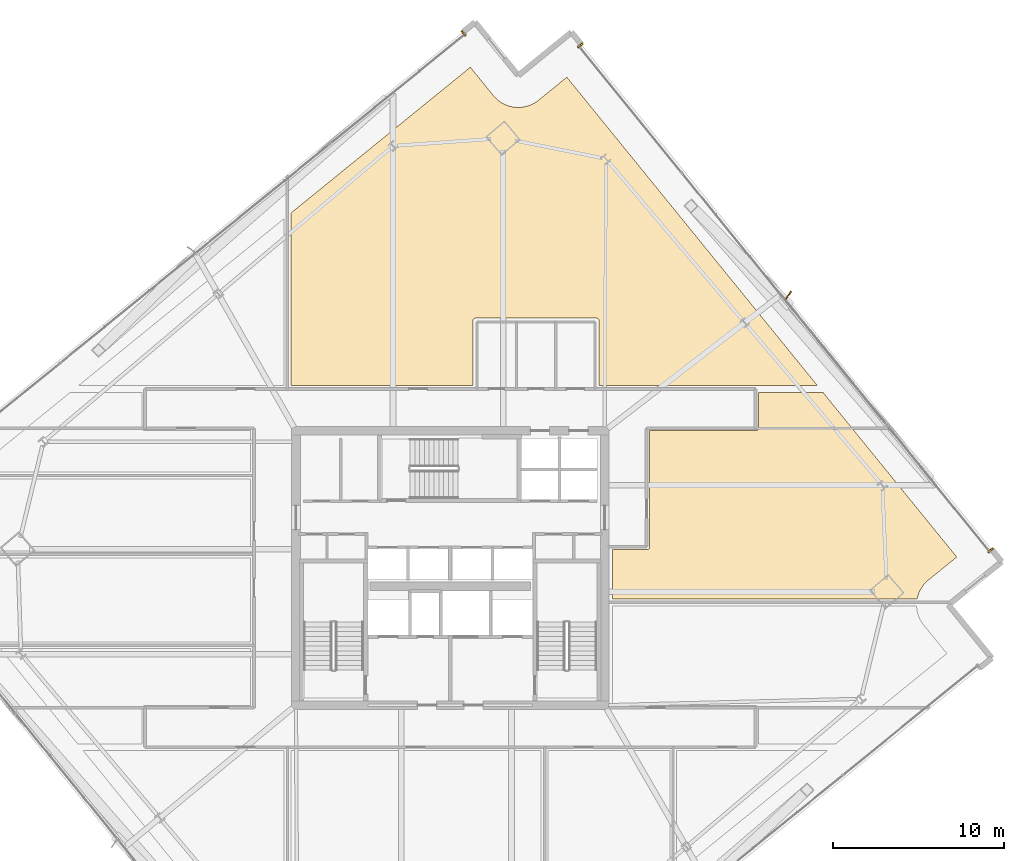
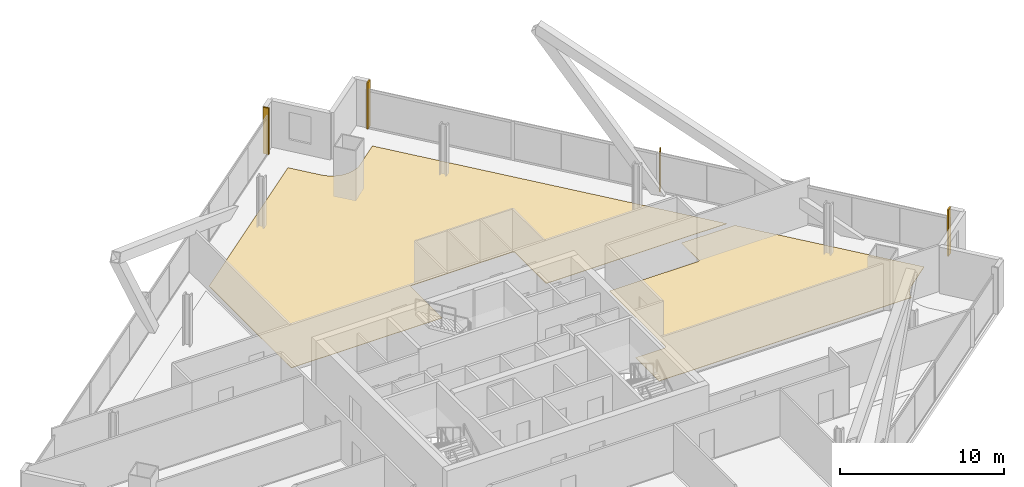
# One storey, part 36 of 36: 5 coverings, 1 shading device.
"""IFC4 building model written with IfcOpenShell, lengths in metres."""

from ifc_helpers import new_model, si_unit, direction, frame, origin, origin_2d, place, context, subcontext, project, spatial, polyline, rectangle, outline, extrude, source, transform, mapped, material, layer, layer_set, type_object, element, save


model = new_model("IFC4")

# Units and contexts
model_context = context("Model", 3, precision=1e-05, world=origin(), true_north=direction((0.0, 1.0)))
body_context = subcontext(model_context, "Body", "Model", "MODEL_VIEW")
ifc_project = project(units=[si_unit("LENGTHUNIT", "METRE"), si_unit("AREAUNIT", "SQUARE_METRE"), si_unit("VOLUMEUNIT", "CUBIC_METRE"), si_unit("PLANEANGLEUNIT", "RADIAN"), si_unit("MASSUNIT", "GRAM", prefix="KILO")], contexts=[model_context])

# Site, building, storey
site_placement = place(None, origin())
site = spatial("IfcSite", under=ifc_project, at=site_placement, CompositionType="ELEMENT")
building_placement = place(site_placement, origin())
building = spatial("IfcBuilding", under=site, at=building_placement, Name="Haldenkirk Collegiate Tower", CompositionType="ELEMENT")
storey_placement = place(building_placement, frame((0.0, 0.0, 159.449951171875)))
storey = spatial("IfcBuildingStorey", under=building, at=storey_placement, Name="L39", CompositionType="ELEMENT", Elevation=159.449951171875)

# Coverings
ifc_material_1 = material(Name="Polished collegiate terrazzo", Category="concrete")
ifc_layer_1 = layer(ifc_material_1, 0.02490234375)
ifc_layer_set_1 = layer_set([ifc_layer_1], Name="Polished collegiate terrazzo")
covering_type_1 = type_object("IfcCoveringType", Name="COV-FLOOR-TERRAZZO", PredefinedType="FLOORING", material=ifc_layer_set_1)
covering_1_placement = place(storey_placement, origin())
element("IfcCovering", 1, at=covering_1_placement, inside=storey, type_object=covering_type_1, Name="L39 academic room finish 06", PredefinedType="FLOORING", context=body_context, shape_type="SweptSolid", body=[
    extrude(outline(polyline([(38.513671875, 53.556640625), (38.517333984375, 53.552001953125), (38.632080078125, 53.42431640625), (38.640380859375, 53.416015625), (38.76708984375, 53.300048828125), (38.776123046875, 53.29248046875), (38.913818359375, 53.189697265625), (38.92333984375, 53.18310546875), (39.0703125, 53.093994140625), (39.08056640625, 53.08837890625), (39.2353515625, 53.01416015625), (39.246337890625, 53.009521484375), (39.407958984375, 52.950927734375), (39.419189453125, 52.947509765625), (39.58544921875, 52.905029296875), (39.596923828125, 52.902587890625), (39.7666015625, 52.876708984375), (39.7783203125, 52.87548828125), (39.949951171875, 52.8662109375), (39.961669921875, 52.8662109375), (40.13330078125, 52.873779296875), (40.14501953125, 52.874755859375), (40.31494140625, 52.899169921875), (40.32666015625, 52.901611328125), (40.493408203125, 52.9423828125), (40.504638671875, 52.94580078125), (40.66650390625, 53.002685546875), (40.677490234375, 53.00732421875), (40.8330078125, 53.080078125), (40.843505859375, 53.08544921875), (40.9912109375, 53.173095703125), (41.0009765625, 53.179443359375), (41.139404296875, 53.281005859375), (41.144287109375, 53.284912109375), (42.797119140625, 54.628173828125), (57.40771484375, 36.64990234375), (44.669921875, 36.64990234375), (44.669921875, 40.449951171875), (44.66943359375, 40.4619140625), (44.667724609375, 40.473388671875), (44.664794921875, 40.48486328125), (44.660888671875, 40.495849609375), (44.65576171875, 40.506591796875), (44.64990234375, 40.5166015625), (44.642822265625, 40.526123046875), (44.635009765625, 40.534912109375), (44.626220703125, 40.542724609375), (44.61669921875, 40.5498046875), (44.606689453125, 40.555908203125), (44.595947265625, 40.560791015625), (44.584716796875, 40.564697265625), (44.573486328125, 40.567626953125), (44.561767578125, 40.5693359375), (44.550048828125, 40.570068359375), (37.449951171875, 40.570068359375), (37.438232421875, 40.5693359375), (37.426513671875, 40.567626953125), (37.415283203125, 40.564697265625), (37.404052734375, 40.560791015625), (37.393310546875, 40.555908203125), (37.38330078125, 40.5498046875), (37.373779296875, 40.542724609375), (37.364990234375, 40.534912109375), (37.357177734375, 40.526123046875), (37.35009765625, 40.5166015625), (37.34423828125, 40.506591796875), (37.339111328125, 40.495849609375), (37.335205078125, 40.48486328125), (37.332275390625, 40.473388671875), (37.33056640625, 40.4619140625), (37.330078125, 40.449951171875), (37.330078125, 36.64990234375), (26.699951171875, 36.64990234375), (26.699951171875, 46.70068359375), (37.17041015625, 55.209716796875), (38.513671875, 53.556640625)])), origin(), (0.0, 0.0, 1.0), 0.025146484375),
])
covering_2_placement = place(storey_placement, origin())
element("IfcCovering", 2, at=covering_2_placement, inside=storey, type_object=covering_type_1, Name="L39 academic room finish 12", PredefinedType="FLOORING", context=body_context, shape_type="SweptSolid", body=[
    extrude(outline(polyline([(63.88623046875, 25.300537109375), (63.8818359375, 25.296875), (63.75390625, 25.18212890625), (63.74560546875, 25.173828125), (63.6298828125, 25.047119140625), (63.622314453125, 25.0380859375), (63.519287109375, 24.900390625), (63.5126953125, 24.890869140625), (63.423583984375, 24.743896484375), (63.418212890625, 24.733642578125), (63.343994140625, 24.578857421875), (63.33935546875, 24.56787109375), (63.28076171875, 24.40625), (63.277099609375, 24.39501953125), (63.234619140625, 24.228759765625), (63.232421875, 24.21728515625), (63.229736328125, 24.199951171875), (45.449951171875, 24.199951171875), (45.449951171875, 27.080078125), (47.5, 27.080078125), (47.51171875, 27.08056640625), (47.5234375, 27.082275390625), (47.534912109375, 27.085205078125), (47.5458984375, 27.089111328125), (47.556640625, 27.09423828125), (47.566650390625, 27.10009765625), (47.576171875, 27.107177734375), (47.5849609375, 27.114990234375), (47.5927734375, 27.123779296875), (47.599853515625, 27.13330078125), (47.605712890625, 27.143310546875), (47.61083984375, 27.154052734375), (47.61474609375, 27.165283203125), (47.61767578125, 27.176513671875), (47.619384765625, 27.188232421875), (47.6201171875, 27.199951171875), (47.6201171875, 34.030029296875), (53.85009765625, 34.030029296875), (53.86181640625, 34.030517578125), (53.873291015625, 34.0322265625), (53.884765625, 34.03515625), (53.89599609375, 34.0390625), (53.906494140625, 34.044189453125), (53.916748046875, 34.05029296875), (53.926025390625, 34.05712890625), (53.934814453125, 34.065185546875), (53.94287109375, 34.073974609375), (53.94970703125, 34.083251953125), (53.955810546875, 34.093505859375), (53.9609375, 34.10400390625), (53.96484375, 34.115234375), (53.9677734375, 34.126708984375), (53.969482421875, 34.13818359375), (53.969970703125, 34.14990234375), (53.969970703125, 36.25), (57.732666015625, 36.25), (65.539306640625, 26.643798828125), (63.88623046875, 25.300537109375)])), origin(), (0.0, 0.0, 1.0), 0.025146484375),
])
ifc_material_2 = material(Name="Anodised architectural bronze aluminium", Category="aluminium")
ifc_layer_2 = layer(ifc_material_2, 0.06005859375)
ifc_layer_set_2 = layer_set([ifc_layer_2], Name="Anodised architectural bronze aluminium")
covering_type_2 = type_object("IfcCoveringType", Name="COV-CLAD-BRONZE-60", PredefinedType="CLADDING", material=ifc_layer_set_2)
shared_shape_1 = source(origin(), body_context, "Body", "SweptSolid", [
    extrude(rectangle(XDim=0.10009765625, YDim=0.3798828125, at=origin_2d()), origin(), (0.0, 0.0, 1.0), 3.4599609375),
])
for number, where, z_axis, x_axis, name in (
    (3, (43.585693359375, 56.480224609375, 0.0), (0.0, 0.0, 1.0), (0.630675807431, -0.776046407067, 0.0), "L39 recessed curtain-wall bronze jamb closure EJL"),
    (4, (67.513427734375, 27.037109375, 0.0), (0.0, 0.0, 1.0), (0.630675807431, -0.776046407067, 0.0), "L39 recessed curtain-wall bronze jamb closure EJR"),
    (5, (36.777099609375, 57.183837890625, 0.0), (0.0, 0.0, 1.0), (0.776046407067, 0.630675807431, 0.0), "L39 recessed curtain-wall bronze jamb closure NJR"),
):
    element("IfcCovering", number, at=place(storey_placement, frame(where, z_axis=z_axis, x_axis=x_axis)), inside=storey, type_object=covering_type_2, Name=name, PredefinedType="CLADDING", context=body_context, shape_type="MappedRepresentation", body=[
        mapped(shared_shape_1, transform((0.0, 0.0, 0.0), x_axis=(1.0, 0.0, 0.0), y_axis=(0.0, 1.0, 0.0), z_axis=(0.0, 0.0, 1.0), scale=1.0)),
    ])

# Shading device
ifc_layer_3 = layer(ifc_material_2, 0.06494140625)
ifc_layer_set_3 = layer_set([ifc_layer_3], Name="Anodised architectural bronze aluminium")
shading_device_type = type_object("IfcShadingDeviceType", Name="SHD-FIN-BRONZE-620", PredefinedType="USERDEFINED", material=ifc_layer_set_3)
shared_shape_2 = source(origin(), body_context, "Body", "SweptSolid", [
    extrude(rectangle(XDim=0.6201171875, YDim=0.06494140625, at=origin_2d()), origin(), (0.0, 0.0, 1.0), 2.910888671875),
])
shading_device_placement = place(storey_placement, frame((55.708740234375, 41.887939453125, 0.0), z_axis=(0.0, 0.0, 1.0), x_axis=(0.572145873446, 0.820151875874, 0.0)))
element("IfcShadingDevice", 6, at=shading_device_placement, inside=storey, type_object=shading_device_type, Name="L39 folded bronze solar fin 1", ObjectType="FIN", PredefinedType="USERDEFINED", context=body_context, shape_type="MappedRepresentation", body=[
    mapped(shared_shape_2, transform((0.0, 0.0, 0.0), x_axis=(1.0, 0.0, 0.0), y_axis=(0.0, 1.0, 0.0), z_axis=(0.0, 0.0, 1.0), scale=1.0)),
])

save(model, "model.ifc")
